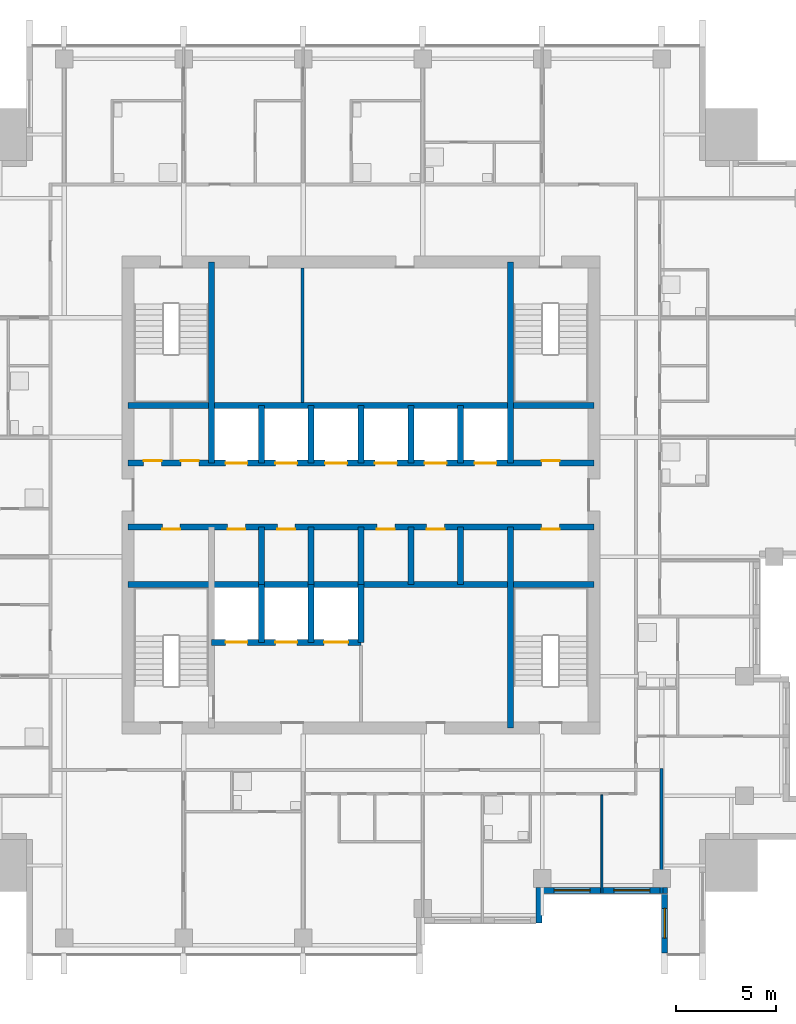
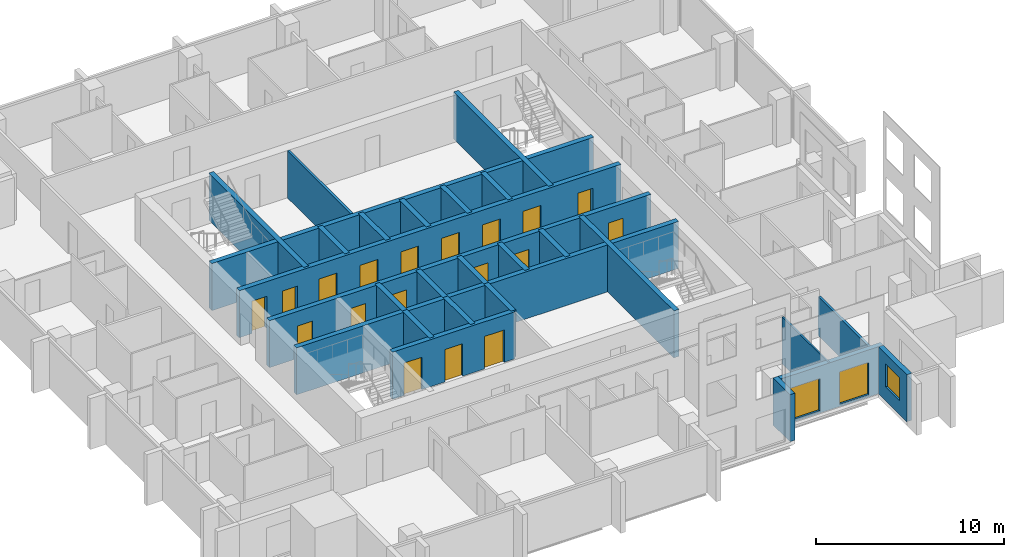
# One storey, part 5 of 11: 27 walls, 18 doors, 3 windows, 21 openings.
"""IFC4 building model written with IfcOpenShell, lengths in metres."""

from ifc_helpers import new_model, si_unit, direction, frame, frame_2d, origin, place, context, subcontext, project, spatial, rectangle, extrude, material, layer, layer_set, type_object, element, fill, save


model = new_model("IFC4")

# Units and contexts
model_context = context("Model", 3, precision=1e-05, world=origin(), true_north=direction((0.0, 1.0)))
body_context = subcontext(model_context, "Body", "Model", "MODEL_VIEW")
ifc_project = project(units=[si_unit("LENGTHUNIT", "METRE"), si_unit("AREAUNIT", "SQUARE_METRE"), si_unit("VOLUMEUNIT", "CUBIC_METRE"), si_unit("PLANEANGLEUNIT", "RADIAN"), si_unit("MASSUNIT", "GRAM", prefix="KILO")], contexts=[model_context])

# Site, building, storey
site_placement = place(None, origin())
site = spatial("IfcSite", under=ifc_project, at=site_placement, CompositionType="ELEMENT")
building_placement = place(site_placement, origin())
building = spatial("IfcBuilding", under=site, at=building_placement, Name="Amberfall Residences", CompositionType="ELEMENT")
storey_placement = place(building_placement, frame((0.0, 0.0, 196.89990234375)))
storey = spatial("IfcBuildingStorey", under=building, at=storey_placement, Name="L52", CompositionType="ELEMENT", Elevation=196.89990234375)

# Wall
ifc_material_1 = material(Name="Pale stone cladding on insulated backing", Category="masonry")
ifc_layer_1 = layer(ifc_material_1, 0.300048828125)
ifc_layer_set_1 = layer_set([ifc_layer_1], Name="Bronze clad wall 300")
wall_type_1 = type_object("IfcWallType", Name="Bronze clad wall 300", PredefinedType="SOLIDWALL", material=ifc_layer_set_1)
wall_1_placement = place(storey_placement, frame((83.449951171875, 24.0, 0.0), z_axis=(0.0, 0.0, 1.0), x_axis=(0.0, 1.0, 0.0)))
element("IfcWall", 1, at=wall_1_placement, inside=storey, type_object=wall_type_1, Name="External wall L52 S", PredefinedType="SOLIDWALL", context=body_context, shape_type="SweptSolid", body=[
    extrude(rectangle(XDim=1.800048828125, YDim=0.300048828125, at=frame_2d((0.89990234375, 0.0))), origin(), (0.0, 0.0, 1.0), 3.050048828125),
])

# Wall, opening, window
wall_2_placement = place(storey_placement, frame((89.75, 25.5, 0.0), z_axis=(0.0, 0.0, 1.0), x_axis=(0.0, -1.0, 0.0)))
wall_2 = element("IfcWall", 2, at=wall_2_placement, inside=storey, type_object=wall_type_1, Name="External wall L52 S", PredefinedType="SOLIDWALL", context=body_context, shape_type="SweptSolid", body=[
    extrude(rectangle(XDim=3.0, YDim=0.300048828125, at=frame_2d((1.5, 0.0))), origin(), (0.0, 0.0, 1.0), 3.050048828125),
])
opening_1_placement = place(wall_2_placement, frame((0.75, 0.0, 0.89990234375)))
opening_1 = element("IfcOpeningElement", 3, at=opening_1_placement, cuts=wall_2, Name="Opening WN1", PredefinedType="OPENING", context=body_context, shape_type="SweptSolid", body=[
    extrude(rectangle(XDim=1.5, YDim=1.5, at=frame_2d((0.75, 0.75))), frame((0.0, 0.159912109375, 0.0), z_axis=(0.0, -1.0, 0.0), x_axis=(1.0, 0.0, 0.0)), (0.0, 0.0, 1.0), 0.320068359375),
])
ifc_material_2 = material(Name="Bronze aluminium framed glazing", Category="aluminium")
window_type_1 = type_object("IfcWindowType", Name="Window 1500 x 1500 bronze", PartitioningType="DOUBLE_PANEL_VERTICAL", PredefinedType="WINDOW", material=ifc_material_2)
window_1_placement = place(opening_1_placement, origin())
window_1 = element("IfcWindow", 4, at=window_1_placement, inside=storey, type_object=window_type_1, Name="Window L52 S", OverallHeight=1.5, OverallWidth=1.5, PartitioningType="DOUBLE_PANEL_VERTICAL", PredefinedType="WINDOW", context=body_context, shape_type="SweptSolid", body=[
    extrude(rectangle(XDim=1.5, YDim=1.5, at=frame_2d((0.75, 0.75))), frame((0.0, 0.030029296875, 0.0), z_axis=(0.0, -1.0, 0.0), x_axis=(1.0, 0.0, 0.0)), (0.0, 0.0, 1.0), 0.06005859375),
])
fill(opening_1, window_1)

# Wall, openings, windows
wall_3_placement = place(storey_placement, frame((83.60009765625, 25.64990234375, 0.0), z_axis=(0.0, 0.0, 1.0), x_axis=(1.0, 0.0, 0.0)))
wall_3 = element("IfcWall", 5, at=wall_3_placement, inside=storey, type_object=wall_type_1, Name="Stone wall L52 S", PredefinedType="SOLIDWALL", context=body_context, shape_type="SweptSolid", body=[
    extrude(rectangle(XDim=6.2998046875, YDim=0.300048828125, at=frame_2d((3.14990234375, 0.0))), origin(), (0.0, 0.0, 1.0), 3.050048828125),
])
opening_2_placement = place(wall_3_placement, frame((0.60009765625, 0.0, 0.14990234375)))
opening_2 = element("IfcOpeningElement", 6, at=opening_2_placement, cuts=wall_3, Name="Opening WN6", PredefinedType="OPENING", context=body_context, shape_type="SweptSolid", body=[
    extrude(rectangle(XDim=1.800048828125, YDim=2.10009765625, at=frame_2d((0.89990234375, 1.050048828125))), frame((0.0, 0.159912109375, 0.0), z_axis=(0.0, -1.0, 0.0), x_axis=(1.0, 0.0, 0.0)), (0.0, 0.0, 1.0), 0.320068359375),
])
opening_3_placement = place(wall_3_placement, frame((3.60009765625, 0.0, 0.14990234375)))
opening_3 = element("IfcOpeningElement", 7, at=opening_3_placement, cuts=wall_3, Name="Opening WN6", PredefinedType="OPENING", context=body_context, shape_type="SweptSolid", body=[
    extrude(rectangle(XDim=1.800048828125, YDim=2.10009765625, at=frame_2d((0.89990234375, 1.050048828125))), frame((0.0, 0.159912109375, 0.0), z_axis=(0.0, -1.0, 0.0), x_axis=(1.0, 0.0, 0.0)), (0.0, 0.0, 1.0), 0.320068359375),
])
window_type_2 = type_object("IfcWindowType", Name="Glazed opening 1800 x 2100 bronze", PartitioningType="DOUBLE_PANEL_VERTICAL", PredefinedType="WINDOW", material=ifc_material_2)
window_2_placement = place(opening_2_placement, origin())
window_2 = element("IfcWindow", 8, at=window_2_placement, inside=storey, type_object=window_type_2, Name="Window L52 S", OverallHeight=2.10009765625, OverallWidth=1.800048828125, PartitioningType="DOUBLE_PANEL_VERTICAL", PredefinedType="WINDOW", context=body_context, shape_type="SweptSolid", body=[
    extrude(rectangle(XDim=1.800048828125, YDim=2.10009765625, at=frame_2d((0.89990234375, 1.050048828125))), frame((0.0, 0.030029296875, 0.0), z_axis=(0.0, -1.0, 0.0), x_axis=(1.0, 0.0, 0.0)), (0.0, 0.0, 1.0), 0.06005859375),
])
fill(opening_2, window_2)
window_3_placement = place(opening_3_placement, origin())
window_3 = element("IfcWindow", 9, at=window_3_placement, inside=storey, type_object=window_type_2, Name="Window L52 S", OverallHeight=2.10009765625, OverallWidth=1.800048828125, PartitioningType="DOUBLE_PANEL_VERTICAL", PredefinedType="WINDOW", context=body_context, shape_type="SweptSolid", body=[
    extrude(rectangle(XDim=1.800048828125, YDim=2.10009765625, at=frame_2d((0.89990234375, 1.050048828125))), frame((0.0, 0.030029296875, 0.0), z_axis=(0.0, -1.0, 0.0), x_axis=(1.0, 0.0, 0.0)), (0.0, 0.0, 1.0), 0.06005859375),
])
fill(opening_3, window_3)

# Wall
ifc_material_3 = material(Name="Concrete C55", Category="concrete")
ifc_layer_2 = layer(ifc_material_3, 0.300048828125)
ifc_layer_set_2 = layer_set([ifc_layer_2], Name="Core wall 300 C55")
wall_type_2 = type_object("IfcWallType", Name="Core wall 300 C55", PredefinedType="SHEAR", material=ifc_layer_set_2)
wall_4_placement = place(storey_placement, frame((62.800048828125, 41.0, 0.0), z_axis=(0.0, 0.0, 1.0), x_axis=(1.0, 0.0, 0.0)))
element("IfcWall", 10, at=wall_4_placement, inside=storey, type_object=wall_type_2, Name="Core wall RW8 L52 H75", PredefinedType="SHEAR", context=body_context, shape_type="SweptSolid", body=[
    extrude(rectangle(XDim=23.39990234375, YDim=0.300048828125, at=frame_2d((11.699951171875, 0.0))), origin(), (0.0, 0.0, 1.0), 3.050048828125),
])

# Wall, openings, doors
wall_5_placement = place(storey_placement, frame((62.800048828125, 43.89990234375, 0.0), z_axis=(0.0, 0.0, 1.0), x_axis=(1.0, 0.0, 0.0)))
wall_5 = element("IfcWall", 11, at=wall_5_placement, inside=storey, type_object=wall_type_2, Name="Core wall RW8 L52 H104", PredefinedType="SHEAR", context=body_context, shape_type="SweptSolid", body=[
    extrude(rectangle(XDim=23.39990234375, YDim=0.300048828125, at=frame_2d((11.699951171875, 0.0))), origin(), (0.0, 0.0, 1.0), 3.050048828125),
])
opening_4_placement = place(wall_5_placement, frame((1.72509765625, 0.0, 0.0)))
opening_4 = element("IfcOpeningElement", 12, at=opening_4_placement, cuts=wall_5, Name="Opening RD1", PredefinedType="OPENING", context=body_context, shape_type="SweptSolid", body=[
    extrude(rectangle(XDim=0.89990234375, YDim=2.10009765625, at=frame_2d((0.449951171875, 1.050048828125))), frame((0.0, 0.159912109375, 0.0), z_axis=(0.0, -1.0, 0.0), x_axis=(1.0, 0.0, 0.0)), (0.0, 0.0, 1.0), 0.320068359375),
])
opening_5_placement = place(wall_5_placement, frame((20.77490234375, 0.0, 0.0)))
opening_5 = element("IfcOpeningElement", 13, at=opening_5_placement, cuts=wall_5, Name="Opening RD1", PredefinedType="OPENING", context=body_context, shape_type="SweptSolid", body=[
    extrude(rectangle(XDim=0.89990234375, YDim=2.10009765625, at=frame_2d((0.449951171875, 1.050048828125))), frame((0.0, 0.159912109375, 0.0), z_axis=(0.0, -1.0, 0.0), x_axis=(1.0, 0.0, 0.0)), (0.0, 0.0, 1.0), 0.320068359375),
])
opening_6_placement = place(wall_5_placement, frame((5.0, 0.0, 0.0)))
opening_6 = element("IfcOpeningElement", 14, at=opening_6_placement, cuts=wall_5, Name="Opening RD1", PredefinedType="OPENING", context=body_context, shape_type="SweptSolid", body=[
    extrude(rectangle(XDim=0.89990234375, YDim=2.10009765625, at=frame_2d((0.449951171875, 1.050048828125))), frame((0.0, 0.159912109375, 0.0), z_axis=(0.0, -1.0, 0.0), x_axis=(1.0, 0.0, 0.0)), (0.0, 0.0, 1.0), 0.320068359375),
])
opening_7_placement = place(wall_5_placement, frame((7.5, 0.0, 0.0)))
opening_7 = element("IfcOpeningElement", 15, at=opening_7_placement, cuts=wall_5, Name="Opening RD1", PredefinedType="OPENING", context=body_context, shape_type="SweptSolid", body=[
    extrude(rectangle(XDim=0.89990234375, YDim=2.10009765625, at=frame_2d((0.449951171875, 1.050048828125))), frame((0.0, 0.159912109375, 0.0), z_axis=(0.0, -1.0, 0.0), x_axis=(1.0, 0.0, 0.0)), (0.0, 0.0, 1.0), 0.320068359375),
])
opening_8_placement = place(wall_5_placement, frame((12.5, 0.0, 0.0)))
opening_8 = element("IfcOpeningElement", 16, at=opening_8_placement, cuts=wall_5, Name="Opening RD1", PredefinedType="OPENING", context=body_context, shape_type="SweptSolid", body=[
    extrude(rectangle(XDim=0.89990234375, YDim=2.10009765625, at=frame_2d((0.449951171875, 1.050048828125))), frame((0.0, 0.159912109375, 0.0), z_axis=(0.0, -1.0, 0.0), x_axis=(1.0, 0.0, 0.0)), (0.0, 0.0, 1.0), 0.320068359375),
])
opening_9_placement = place(wall_5_placement, frame((15.0, 0.0, 0.0)))
opening_9 = element("IfcOpeningElement", 17, at=opening_9_placement, cuts=wall_5, Name="Opening RD1", PredefinedType="OPENING", context=body_context, shape_type="SweptSolid", body=[
    extrude(rectangle(XDim=0.89990234375, YDim=2.10009765625, at=frame_2d((0.449951171875, 1.050048828125))), frame((0.0, 0.159912109375, 0.0), z_axis=(0.0, -1.0, 0.0), x_axis=(1.0, 0.0, 0.0)), (0.0, 0.0, 1.0), 0.320068359375),
])
ifc_material_4 = material(Name="Steel fire door set", Category="steel")
door_type_1 = type_object("IfcDoorType", Name="Service room door 900 x 2100", OperationType="SINGLE_SWING_LEFT", PredefinedType="DOOR", material=ifc_material_4)
door_1_placement = place(opening_4_placement, origin())
door_1 = element("IfcDoor", 18, at=door_1_placement, inside=storey, type_object=door_type_1, Name="RD1 L52", OperationType="SINGLE_SWING_LEFT", OverallHeight=2.10009765625, OverallWidth=0.89990234375, PredefinedType="DOOR", context=body_context, shape_type="SweptSolid", body=[
    extrude(rectangle(XDim=0.89990234375, YDim=2.10009765625, at=frame_2d((0.449951171875, 1.050048828125))), frame((0.0, -0.08740234375, 0.0), z_axis=(0.0, -1.0, 0.0), x_axis=(1.0, 0.0, 0.0)), (0.0, 0.0, 1.0), 0.050048828125),
])
fill(opening_4, door_1)
door_2_placement = place(opening_5_placement, origin())
door_2 = element("IfcDoor", 19, at=door_2_placement, inside=storey, type_object=door_type_1, Name="RD1 L52", OperationType="SINGLE_SWING_LEFT", OverallHeight=2.10009765625, OverallWidth=0.89990234375, PredefinedType="DOOR", context=body_context, shape_type="SweptSolid", body=[
    extrude(rectangle(XDim=0.89990234375, YDim=2.10009765625, at=frame_2d((0.449951171875, 1.050048828125))), frame((0.0, -0.08740234375, 0.0), z_axis=(0.0, -1.0, 0.0), x_axis=(1.0, 0.0, 0.0)), (0.0, 0.0, 1.0), 0.050048828125),
])
fill(opening_5, door_2)
door_3_placement = place(opening_6_placement, origin())
door_3 = element("IfcDoor", 20, at=door_3_placement, inside=storey, type_object=door_type_1, Name="RD1 L52", OperationType="SINGLE_SWING_RIGHT", OverallHeight=2.10009765625, OverallWidth=0.89990234375, PredefinedType="DOOR", context=body_context, shape_type="SweptSolid", body=[
    extrude(rectangle(XDim=0.89990234375, YDim=2.10009765625, at=frame_2d((0.449951171875, 1.050048828125))), frame((0.0, -0.08740234375, 0.0), z_axis=(0.0, -1.0, 0.0), x_axis=(1.0, 0.0, 0.0)), (0.0, 0.0, 1.0), 0.050048828125),
])
fill(opening_6, door_3)
door_4_placement = place(opening_7_placement, origin())
door_4 = element("IfcDoor", 21, at=door_4_placement, inside=storey, type_object=door_type_1, Name="RD1 L52", OperationType="SINGLE_SWING_LEFT", OverallHeight=2.10009765625, OverallWidth=0.89990234375, PredefinedType="DOOR", context=body_context, shape_type="SweptSolid", body=[
    extrude(rectangle(XDim=0.89990234375, YDim=2.10009765625, at=frame_2d((0.449951171875, 1.050048828125))), frame((0.0, -0.08740234375, 0.0), z_axis=(0.0, -1.0, 0.0), x_axis=(1.0, 0.0, 0.0)), (0.0, 0.0, 1.0), 0.050048828125),
])
fill(opening_7, door_4)
door_5_placement = place(opening_8_placement, origin())
door_5 = element("IfcDoor", 22, at=door_5_placement, inside=storey, type_object=door_type_1, Name="RD1 L52", OperationType="SINGLE_SWING_LEFT", OverallHeight=2.10009765625, OverallWidth=0.89990234375, PredefinedType="DOOR", context=body_context, shape_type="SweptSolid", body=[
    extrude(rectangle(XDim=0.89990234375, YDim=2.10009765625, at=frame_2d((0.449951171875, 1.050048828125))), frame((0.0, -0.08740234375, 0.0), z_axis=(0.0, -1.0, 0.0), x_axis=(1.0, 0.0, 0.0)), (0.0, 0.0, 1.0), 0.050048828125),
])
fill(opening_8, door_5)
door_6_placement = place(opening_9_placement, origin())
door_6 = element("IfcDoor", 23, at=door_6_placement, inside=storey, type_object=door_type_1, Name="RD1 L52", OperationType="SINGLE_SWING_RIGHT", OverallHeight=2.10009765625, OverallWidth=0.89990234375, PredefinedType="DOOR", context=body_context, shape_type="SweptSolid", body=[
    extrude(rectangle(XDim=0.89990234375, YDim=2.10009765625, at=frame_2d((0.449951171875, 1.050048828125))), frame((0.0, -0.08740234375, 0.0), z_axis=(0.0, -1.0, 0.0), x_axis=(1.0, 0.0, 0.0)), (0.0, 0.0, 1.0), 0.050048828125),
])
fill(opening_9, door_6)

wall_6_placement = place(storey_placement, frame((62.800048828125, 47.10009765625, 0.0), z_axis=(0.0, 0.0, 1.0), x_axis=(1.0, 0.0, 0.0)))
wall_6 = element("IfcWall", 24, at=wall_6_placement, inside=storey, type_object=wall_type_2, Name="Core wall RW8 L52 H136", PredefinedType="SHEAR", context=body_context, shape_type="SweptSolid", body=[
    extrude(rectangle(XDim=23.39990234375, YDim=0.300048828125, at=frame_2d((11.699951171875, 0.0))), origin(), (0.0, 0.0, 1.0), 3.050048828125),
])
opening_10_placement = place(wall_6_placement, frame((0.78759765625, 0.0, 0.0)))
opening_10 = element("IfcOpeningElement", 25, at=opening_10_placement, cuts=wall_6, Name="Opening RD1", PredefinedType="OPENING", context=body_context, shape_type="SweptSolid", body=[
    extrude(rectangle(XDim=0.89990234375, YDim=2.10009765625, at=frame_2d((0.449951171875, 1.050048828125))), frame((0.0, 0.159912109375, 0.0), z_axis=(0.0, -1.0, 0.0), x_axis=(1.0, 0.0, 0.0)), (0.0, 0.0, 1.0), 0.320068359375),
])
opening_11_placement = place(wall_6_placement, frame((2.66259765625, 0.0, 0.0)))
opening_11 = element("IfcOpeningElement", 26, at=opening_11_placement, cuts=wall_6, Name="Opening RD1", PredefinedType="OPENING", context=body_context, shape_type="SweptSolid", body=[
    extrude(rectangle(XDim=0.89990234375, YDim=2.10009765625, at=frame_2d((0.449951171875, 1.050048828125))), frame((0.0, 0.159912109375, 0.0), z_axis=(0.0, -1.0, 0.0), x_axis=(1.0, 0.0, 0.0)), (0.0, 0.0, 1.0), 0.320068359375),
])
opening_12_placement = place(wall_6_placement, frame((20.77490234375, 0.0, 0.0)))
opening_12 = element("IfcOpeningElement", 27, at=opening_12_placement, cuts=wall_6, Name="Opening RD1", PredefinedType="OPENING", context=body_context, shape_type="SweptSolid", body=[
    extrude(rectangle(XDim=0.89990234375, YDim=2.10009765625, at=frame_2d((0.449951171875, 1.050048828125))), frame((0.0, 0.159912109375, 0.0), z_axis=(0.0, -1.0, 0.0), x_axis=(1.0, 0.0, 0.0)), (0.0, 0.0, 1.0), 0.320068359375),
])
opening_13_placement = place(wall_6_placement, frame((4.89990234375, 0.0, 0.0)))
opening_13 = element("IfcOpeningElement", 28, at=opening_13_placement, cuts=wall_6, Name="Opening LD1", PredefinedType="OPENING", context=body_context, shape_type="SweptSolid", body=[
    extrude(rectangle(XDim=1.10009765625, YDim=2.10009765625, at=frame_2d((0.550048828125, 1.050048828125))), frame((0.0, 0.159912109375, 0.0), z_axis=(0.0, -1.0, 0.0), x_axis=(1.0, 0.0, 0.0)), (0.0, 0.0, 1.0), 0.320068359375),
])
opening_14_placement = place(wall_6_placement, frame((7.39990234375, 0.0, 0.0)))
opening_14 = element("IfcOpeningElement", 29, at=opening_14_placement, cuts=wall_6, Name="Opening LD1", PredefinedType="OPENING", context=body_context, shape_type="SweptSolid", body=[
    extrude(rectangle(XDim=1.10009765625, YDim=2.10009765625, at=frame_2d((0.550048828125, 1.050048828125))), frame((0.0, 0.159912109375, 0.0), z_axis=(0.0, -1.0, 0.0), x_axis=(1.0, 0.0, 0.0)), (0.0, 0.0, 1.0), 0.320068359375),
])
opening_15_placement = place(wall_6_placement, frame((9.89990234375, 0.0, 0.0)))
opening_15 = element("IfcOpeningElement", 30, at=opening_15_placement, cuts=wall_6, Name="Opening LD1", PredefinedType="OPENING", context=body_context, shape_type="SweptSolid", body=[
    extrude(rectangle(XDim=1.10009765625, YDim=2.10009765625, at=frame_2d((0.550048828125, 1.050048828125))), frame((0.0, 0.159912109375, 0.0), z_axis=(0.0, -1.0, 0.0), x_axis=(1.0, 0.0, 0.0)), (0.0, 0.0, 1.0), 0.320068359375),
])
opening_16_placement = place(wall_6_placement, frame((12.39990234375, 0.0, 0.0)))
opening_16 = element("IfcOpeningElement", 31, at=opening_16_placement, cuts=wall_6, Name="Opening LD1", PredefinedType="OPENING", context=body_context, shape_type="SweptSolid", body=[
    extrude(rectangle(XDim=1.10009765625, YDim=2.10009765625, at=frame_2d((0.550048828125, 1.050048828125))), frame((0.0, 0.159912109375, 0.0), z_axis=(0.0, -1.0, 0.0), x_axis=(1.0, 0.0, 0.0)), (0.0, 0.0, 1.0), 0.320068359375),
])
opening_17_placement = place(wall_6_placement, frame((14.89990234375, 0.0, 0.0)))
opening_17 = element("IfcOpeningElement", 32, at=opening_17_placement, cuts=wall_6, Name="Opening LD1", PredefinedType="OPENING", context=body_context, shape_type="SweptSolid", body=[
    extrude(rectangle(XDim=1.10009765625, YDim=2.10009765625, at=frame_2d((0.550048828125, 1.050048828125))), frame((0.0, 0.159912109375, 0.0), z_axis=(0.0, -1.0, 0.0), x_axis=(1.0, 0.0, 0.0)), (0.0, 0.0, 1.0), 0.320068359375),
])
opening_18_placement = place(wall_6_placement, frame((17.39990234375, 0.0, 0.0)))
opening_18 = element("IfcOpeningElement", 33, at=opening_18_placement, cuts=wall_6, Name="Opening LD1", PredefinedType="OPENING", context=body_context, shape_type="SweptSolid", body=[
    extrude(rectangle(XDim=1.10009765625, YDim=2.10009765625, at=frame_2d((0.550048828125, 1.050048828125))), frame((0.0, 0.159912109375, 0.0), z_axis=(0.0, -1.0, 0.0), x_axis=(1.0, 0.0, 0.0)), (0.0, 0.0, 1.0), 0.320068359375),
])
door_type_2 = type_object("IfcDoorType", Name="Lift landing door 1100 x 2100", OperationType="DOUBLE_DOOR_SLIDING", PredefinedType="DOOR", material=ifc_material_4)
door_7_placement = place(opening_13_placement, origin())
door_7 = element("IfcDoor", 34, at=door_7_placement, inside=storey, type_object=door_type_2, Name="Landing door HP1 L52", OperationType="DOUBLE_DOOR_SLIDING", OverallHeight=2.10009765625, OverallWidth=1.10009765625, PredefinedType="DOOR", context=body_context, shape_type="SweptSolid", body=[
    extrude(rectangle(XDim=1.10009765625, YDim=2.10009765625, at=frame_2d((0.550048828125, 1.050048828125))), frame((0.0, 0.02490234375, 0.0), z_axis=(0.0, -1.0, 0.0), x_axis=(1.0, 0.0, 0.0)), (0.0, 0.0, 1.0), 0.050048828125),
])
fill(opening_13, door_7)
door_8_placement = place(opening_14_placement, origin())
door_8 = element("IfcDoor", 35, at=door_8_placement, inside=storey, type_object=door_type_2, Name="Landing door HP2 L52", OperationType="DOUBLE_DOOR_SLIDING", OverallHeight=2.10009765625, OverallWidth=1.10009765625, PredefinedType="DOOR", context=body_context, shape_type="SweptSolid", body=[
    extrude(rectangle(XDim=1.10009765625, YDim=2.10009765625, at=frame_2d((0.550048828125, 1.050048828125))), frame((0.0, 0.02490234375, 0.0), z_axis=(0.0, -1.0, 0.0), x_axis=(1.0, 0.0, 0.0)), (0.0, 0.0, 1.0), 0.050048828125),
])
fill(opening_14, door_8)
door_9_placement = place(opening_15_placement, origin())
door_9 = element("IfcDoor", 36, at=door_9_placement, inside=storey, type_object=door_type_2, Name="Landing door HP3 L52", OperationType="DOUBLE_DOOR_SLIDING", OverallHeight=2.10009765625, OverallWidth=1.10009765625, PredefinedType="DOOR", context=body_context, shape_type="SweptSolid", body=[
    extrude(rectangle(XDim=1.10009765625, YDim=2.10009765625, at=frame_2d((0.550048828125, 1.050048828125))), frame((0.0, 0.02490234375, 0.0), z_axis=(0.0, -1.0, 0.0), x_axis=(1.0, 0.0, 0.0)), (0.0, 0.0, 1.0), 0.050048828125),
])
fill(opening_15, door_9)
door_10_placement = place(opening_16_placement, origin())
door_10 = element("IfcDoor", 37, at=door_10_placement, inside=storey, type_object=door_type_2, Name="Landing door HP4 L52", OperationType="DOUBLE_DOOR_SLIDING", OverallHeight=2.10009765625, OverallWidth=1.10009765625, PredefinedType="DOOR", context=body_context, shape_type="SweptSolid", body=[
    extrude(rectangle(XDim=1.10009765625, YDim=2.10009765625, at=frame_2d((0.550048828125, 1.050048828125))), frame((0.0, 0.02490234375, 0.0), z_axis=(0.0, -1.0, 0.0), x_axis=(1.0, 0.0, 0.0)), (0.0, 0.0, 1.0), 0.050048828125),
])
fill(opening_16, door_10)
door_11_placement = place(opening_17_placement, origin())
door_11 = element("IfcDoor", 38, at=door_11_placement, inside=storey, type_object=door_type_2, Name="Landing door HP5 L52", OperationType="DOUBLE_DOOR_SLIDING", OverallHeight=2.10009765625, OverallWidth=1.10009765625, PredefinedType="DOOR", context=body_context, shape_type="SweptSolid", body=[
    extrude(rectangle(XDim=1.10009765625, YDim=2.10009765625, at=frame_2d((0.550048828125, 1.050048828125))), frame((0.0, 0.02490234375, 0.0), z_axis=(0.0, -1.0, 0.0), x_axis=(1.0, 0.0, 0.0)), (0.0, 0.0, 1.0), 0.050048828125),
])
fill(opening_17, door_11)
door_12_placement = place(opening_18_placement, origin())
door_12 = element("IfcDoor", 39, at=door_12_placement, inside=storey, type_object=door_type_2, Name="Landing door HP6 L52", OperationType="DOUBLE_DOOR_SLIDING", OverallHeight=2.10009765625, OverallWidth=1.10009765625, PredefinedType="DOOR", context=body_context, shape_type="SweptSolid", body=[
    extrude(rectangle(XDim=1.10009765625, YDim=2.10009765625, at=frame_2d((0.550048828125, 1.050048828125))), frame((0.0, 0.02490234375, 0.0), z_axis=(0.0, -1.0, 0.0), x_axis=(1.0, 0.0, 0.0)), (0.0, 0.0, 1.0), 0.050048828125),
])
fill(opening_18, door_12)
door_13_placement = place(opening_10_placement, origin())
door_13 = element("IfcDoor", 40, at=door_13_placement, inside=storey, type_object=door_type_1, Name="RD1 L52", OperationType="SINGLE_SWING_LEFT", OverallHeight=2.10009765625, OverallWidth=0.89990234375, PredefinedType="DOOR", context=body_context, shape_type="SweptSolid", body=[
    extrude(rectangle(XDim=0.89990234375, YDim=2.10009765625, at=frame_2d((0.449951171875, 1.050048828125))), frame((0.0, 0.1376953125, 0.0), z_axis=(0.0, -1.0, 0.0), x_axis=(1.0, 0.0, 0.0)), (0.0, 0.0, 1.0), 0.050048828125),
])
fill(opening_10, door_13)
door_14_placement = place(opening_11_placement, origin())
door_14 = element("IfcDoor", 41, at=door_14_placement, inside=storey, type_object=door_type_1, Name="RD1 L52", OperationType="SINGLE_SWING_RIGHT", OverallHeight=2.10009765625, OverallWidth=0.89990234375, PredefinedType="DOOR", context=body_context, shape_type="SweptSolid", body=[
    extrude(rectangle(XDim=0.89990234375, YDim=2.10009765625, at=frame_2d((0.449951171875, 1.050048828125))), frame((0.0, 0.1376953125, 0.0), z_axis=(0.0, -1.0, 0.0), x_axis=(1.0, 0.0, 0.0)), (0.0, 0.0, 1.0), 0.050048828125),
])
fill(opening_11, door_14)
door_15_placement = place(opening_12_placement, origin())
door_15 = element("IfcDoor", 42, at=door_15_placement, inside=storey, type_object=door_type_1, Name="RD1 L52", OperationType="SINGLE_SWING_LEFT", OverallHeight=2.10009765625, OverallWidth=0.89990234375, PredefinedType="DOOR", context=body_context, shape_type="SweptSolid", body=[
    extrude(rectangle(XDim=0.89990234375, YDim=2.10009765625, at=frame_2d((0.449951171875, 1.050048828125))), frame((0.0, 0.1376953125, 0.0), z_axis=(0.0, -1.0, 0.0), x_axis=(1.0, 0.0, 0.0)), (0.0, 0.0, 1.0), 0.050048828125),
])
fill(opening_12, door_15)

# Walls
wall_7_placement = place(storey_placement, frame((62.800048828125, 50.0, 0.0), z_axis=(0.0, 0.0, 1.0), x_axis=(1.0, 0.0, 0.0)))
element("IfcWall", 43, at=wall_7_placement, inside=storey, type_object=wall_type_2, Name="Core wall RW8 L52 H165", PredefinedType="SHEAR", context=body_context, shape_type="SweptSolid", body=[
    extrude(rectangle(XDim=23.39990234375, YDim=0.300048828125, at=frame_2d((11.699951171875, 0.0))), origin(), (0.0, 0.0, 1.0), 3.050048828125),
])
for number, where, z_axis, x_axis, name in (
    (44, (67.0, 47.10009765625, 0.0), (0.0, 0.0, 1.0), (0.0, 1.0, 0.0), "Core wall RW8 L52 V45N"),
    (45, (82.0, 33.800048828125, 0.0), (0.0, 0.0, 1.0), (0.0, 1.0, 0.0), "Core wall RW8 L52 V195S"),
    (46, (82.0, 47.10009765625, 0.0), (0.0, 0.0, 1.0), (0.0, 1.0, 0.0), "Core wall RW8 L52 V195N"),
):
    element("IfcWall", number, at=place(storey_placement, frame(where, z_axis=z_axis, x_axis=x_axis)), inside=storey, type_object=wall_type_2, Name=name, PredefinedType="SHEAR", context=body_context, shape_type="SweptSolid", body=[
        extrude(rectangle(XDim=10.099853515625, YDim=0.300048828125, at=frame_2d((5.0498046875, 0.0))), origin(), (0.0, 0.0, 1.0), 3.050048828125),
    ])
for number, where, z_axis, x_axis, name in (
    (47, (69.5, 41.0, 0.0), (0.0, 0.0, 1.0), (0.0, 1.0, 0.0), "Core wall RW8 L52 LPD1"),
    (48, (69.5, 47.10009765625, 0.0), (0.0, 0.0, 1.0), (0.0, 1.0, 0.0), "Core wall RW8 L52 HPD1"),
    (49, (72.0, 41.0, 0.0), (0.0, 0.0, 1.0), (0.0, 1.0, 0.0), "Core wall RW8 L52 LPD2"),
    (50, (72.0, 47.10009765625, 0.0), (0.0, 0.0, 1.0), (0.0, 1.0, 0.0), "Core wall RW8 L52 HPD2"),
    (51, (74.5, 41.0, 0.0), (0.0, 0.0, 1.0), (0.0, 1.0, 0.0), "Core wall RW8 L52 LPD3"),
    (52, (74.5, 47.10009765625, 0.0), (0.0, 0.0, 1.0), (0.0, 1.0, 0.0), "Core wall RW8 L52 HPD3"),
    (53, (77.0, 41.0, 0.0), (0.0, 0.0, 1.0), (0.0, 1.0, 0.0), "Core wall RW8 L52 LPD4"),
    (54, (77.0, 47.10009765625, 0.0), (0.0, 0.0, 1.0), (0.0, 1.0, 0.0), "Core wall RW8 L52 HPD4"),
    (55, (79.5, 41.0, 0.0), (0.0, 0.0, 1.0), (0.0, 1.0, 0.0), "Core wall RW8 L52 LPD5"),
    (56, (79.5, 47.10009765625, 0.0), (0.0, 0.0, 1.0), (0.0, 1.0, 0.0), "Core wall RW8 L52 HPD5"),
):
    element("IfcWall", number, at=place(storey_placement, frame(where, z_axis=z_axis, x_axis=x_axis)), inside=storey, type_object=wall_type_2, Name=name, PredefinedType="SHEAR", context=body_context, shape_type="SweptSolid", body=[
        extrude(rectangle(XDim=2.89990234375, YDim=0.300048828125, at=frame_2d((1.449951171875, 0.0))), origin(), (0.0, 0.0, 1.0), 3.050048828125),
    ])

# Wall, openings, doors
wall_8_placement = place(storey_placement, frame((67.0, 38.10009765625, 0.0), z_axis=(0.0, 0.0, 1.0), x_axis=(1.0, 0.0, 0.0)))
wall_8 = element("IfcWall", 57, at=wall_8_placement, inside=storey, type_object=wall_type_2, Name="Core wall RW8 L52 FFF", PredefinedType="SHEAR", context=body_context, shape_type="SweptSolid", body=[
    extrude(rectangle(XDim=7.5, YDim=0.300048828125, at=frame_2d((3.75, 0.0))), origin(), (0.0, 0.0, 1.0), 3.050048828125),
])
opening_19_placement = place(wall_8_placement, frame((0.699951171875, 0.0, 0.0)))
opening_19 = element("IfcOpeningElement", 58, at=opening_19_placement, cuts=wall_8, Name="Opening LD2", PredefinedType="OPENING", context=body_context, shape_type="SweptSolid", body=[
    extrude(rectangle(XDim=1.10009765625, YDim=2.10009765625, at=frame_2d((0.550048828125, 1.050048828125))), frame((0.0, 0.159912109375, 0.0), z_axis=(0.0, -1.0, 0.0), x_axis=(1.0, 0.0, 0.0)), (0.0, 0.0, 1.0), 0.320068359375),
])
opening_20_placement = place(wall_8_placement, frame((3.199951171875, 0.0, 0.0)))
opening_20 = element("IfcOpeningElement", 59, at=opening_20_placement, cuts=wall_8, Name="Opening LD2", PredefinedType="OPENING", context=body_context, shape_type="SweptSolid", body=[
    extrude(rectangle(XDim=1.10009765625, YDim=2.10009765625, at=frame_2d((0.550048828125, 1.050048828125))), frame((0.0, 0.159912109375, 0.0), z_axis=(0.0, -1.0, 0.0), x_axis=(1.0, 0.0, 0.0)), (0.0, 0.0, 1.0), 0.320068359375),
])
opening_21_placement = place(wall_8_placement, frame((5.64990234375, 0.0, 0.0)))
opening_21 = element("IfcOpeningElement", 60, at=opening_21_placement, cuts=wall_8, Name="Opening LD3", PredefinedType="OPENING", context=body_context, shape_type="SweptSolid", body=[
    extrude(rectangle(XDim=1.199951171875, YDim=2.10009765625, at=frame_2d((0.60009765625, 1.050048828125))), frame((0.0, 0.159912109375, 0.0), z_axis=(0.0, -1.0, 0.0), x_axis=(1.0, 0.0, 0.0)), (0.0, 0.0, 1.0), 0.320068359375),
])
door_type_3 = type_object("IfcDoorType", Name="Firefighting lift landing door 1100 x 2100", OperationType="DOUBLE_DOOR_SLIDING", PredefinedType="DOOR", material=ifc_material_4)
door_16_placement = place(opening_19_placement, origin())
door_16 = element("IfcDoor", 61, at=door_16_placement, inside=storey, type_object=door_type_3, Name="Landing door FF1 L52", OperationType="DOUBLE_DOOR_SLIDING", OverallHeight=2.10009765625, OverallWidth=1.10009765625, PredefinedType="DOOR", context=body_context, shape_type="SweptSolid", body=[
    extrude(rectangle(XDim=1.10009765625, YDim=2.10009765625, at=frame_2d((0.550048828125, 1.050048828125))), frame((0.0, 0.02490234375, 0.0), z_axis=(0.0, -1.0, 0.0), x_axis=(1.0, 0.0, 0.0)), (0.0, 0.0, 1.0), 0.050048828125),
])
fill(opening_19, door_16)
door_17_placement = place(opening_20_placement, origin())
door_17 = element("IfcDoor", 62, at=door_17_placement, inside=storey, type_object=door_type_3, Name="Landing door FF2 L52", OperationType="DOUBLE_DOOR_SLIDING", OverallHeight=2.10009765625, OverallWidth=1.10009765625, PredefinedType="DOOR", context=body_context, shape_type="SweptSolid", body=[
    extrude(rectangle(XDim=1.10009765625, YDim=2.10009765625, at=frame_2d((0.550048828125, 1.050048828125))), frame((0.0, 0.02490234375, 0.0), z_axis=(0.0, -1.0, 0.0), x_axis=(1.0, 0.0, 0.0)), (0.0, 0.0, 1.0), 0.050048828125),
])
fill(opening_20, door_17)
door_type_4 = type_object("IfcDoorType", Name="Service lift landing door 1200 x 2100", OperationType="DOUBLE_DOOR_SLIDING", PredefinedType="DOOR", material=ifc_material_4)
door_18_placement = place(opening_21_placement, origin())
door_18 = element("IfcDoor", 63, at=door_18_placement, inside=storey, type_object=door_type_4, Name="Landing door SL1 L52", OperationType="DOUBLE_DOOR_SLIDING", OverallHeight=2.10009765625, OverallWidth=1.199951171875, PredefinedType="DOOR", context=body_context, shape_type="SweptSolid", body=[
    extrude(rectangle(XDim=1.199951171875, YDim=2.10009765625, at=frame_2d((0.60009765625, 1.050048828125))), frame((0.0, 0.02490234375, 0.0), z_axis=(0.0, -1.0, 0.0), x_axis=(1.0, 0.0, 0.0)), (0.0, 0.0, 1.0), 0.050048828125),
])
fill(opening_21, door_18)

# Walls
for number, where, z_axis, x_axis, name in (
    (64, (69.5, 38.10009765625, 0.0), (0.0, 0.0, 1.0), (0.0, 1.0, 0.0), "Core wall RW8 L52 FFD1"),
    (65, (72.0, 38.10009765625, 0.0), (0.0, 0.0, 1.0), (0.0, 1.0, 0.0), "Core wall RW8 L52 FFD2"),
    (66, (74.5, 38.10009765625, 0.0), (0.0, 0.0, 1.0), (0.0, 1.0, 0.0), "Core wall RW8 L52 FFD3"),
):
    element("IfcWall", number, at=place(storey_placement, frame(where, z_axis=z_axis, x_axis=x_axis)), inside=storey, type_object=wall_type_2, Name=name, PredefinedType="SHEAR", context=body_context, shape_type="SweptSolid", body=[
        extrude(rectangle(XDim=2.89990234375, YDim=0.300048828125, at=frame_2d((1.449951171875, 0.0))), origin(), (0.0, 0.0, 1.0), 3.050048828125),
    ])
ifc_material_5 = material(Name="Gypsum board on metal stud")
ifc_layer_3 = layer(ifc_material_5, 0.10009765625)
ifc_layer_set_3 = layer_set([ifc_layer_3], Name="Flat partition 100")
wall_type_3 = type_object("IfcWallType", Name="Flat partition 100", PredefinedType="PARTITIONING", material=ifc_layer_set_3)
wall_9_placement = place(storey_placement, frame((86.60009765625, 25.5, 0.0), z_axis=(0.0, 0.0, 1.0), x_axis=(0.0, 1.0, 0.0)))
element("IfcWall", 67, at=wall_9_placement, inside=storey, type_object=wall_type_3, Name="Partition 019", PredefinedType="PARTITIONING", context=body_context, shape_type="SweptSolid", body=[
    extrude(rectangle(XDim=4.949951171875, YDim=0.10009765625, at=frame_2d((2.47509765625, 0.0))), origin(), (0.0, 0.0, 1.0), 3.050048828125),
])
ifc_material_6 = material(Name="Blockwork, plastered", Category="masonry")
ifc_layer_4 = layer(ifc_material_6, 0.14990234375)
ifc_layer_set_4 = layer_set([ifc_layer_4], Name="Flat separating wall 150")
wall_type_4 = type_object("IfcWallType", Name="Flat separating wall 150", PredefinedType="PARTITIONING", material=ifc_layer_set_4)
wall_10_placement = place(storey_placement, frame((89.60009765625, 25.5, 0.0), z_axis=(0.0, 0.0, 1.0), x_axis=(0.0, 1.0, 0.0)))
element("IfcWall", 68, at=wall_10_placement, inside=storey, type_object=wall_type_4, Name="Separating wall 054", PredefinedType="PARTITIONING", context=body_context, shape_type="SweptSolid", body=[
    extrude(rectangle(XDim=6.27490234375, YDim=0.14990234375, at=frame_2d((3.137451171875, 0.0))), origin(), (0.0, 0.0, 1.0), 2.51611328125),
])
ifc_material_7 = material(Name="Concrete blockwork", Category="masonry")
ifc_layer_5 = layer(ifc_material_7, 0.14990234375)
ifc_layer_set_5 = layer_set([ifc_layer_5], Name="Riser wall 150")
wall_type_5 = type_object("IfcWallType", Name="Riser wall 150", PredefinedType="PLUMBINGWALL", material=ifc_layer_set_5)
wall_11_placement = place(storey_placement, frame((71.56005859375, 50.14990234375, 0.0), z_axis=(0.0, 0.0, 1.0), x_axis=(0.0, 1.0, 0.0)))
element("IfcWall", 69, at=wall_11_placement, inside=storey, type_object=wall_type_5, Name="L52 core wall N0", PredefinedType="PLUMBINGWALL", context=body_context, shape_type="SweptSolid", body=[
    extrude(rectangle(XDim=6.75, YDim=0.14990234375, at=frame_2d((3.375, 0.0))), origin(), (0.0, 0.0, 1.0), 3.050048828125),
])

save(model, "model.ifc")
